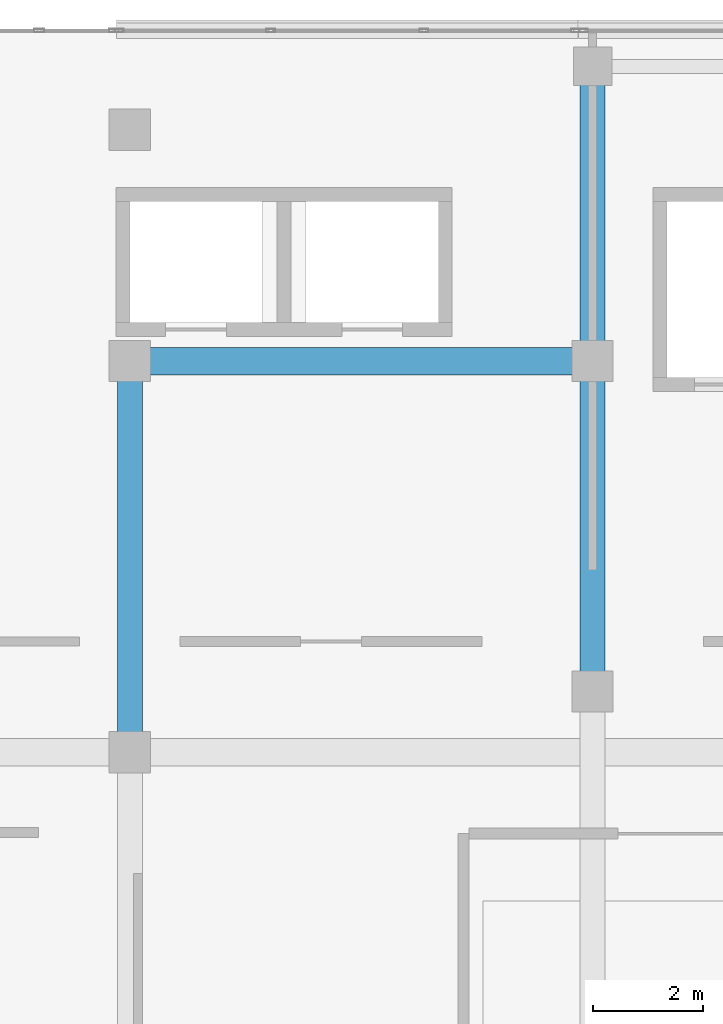
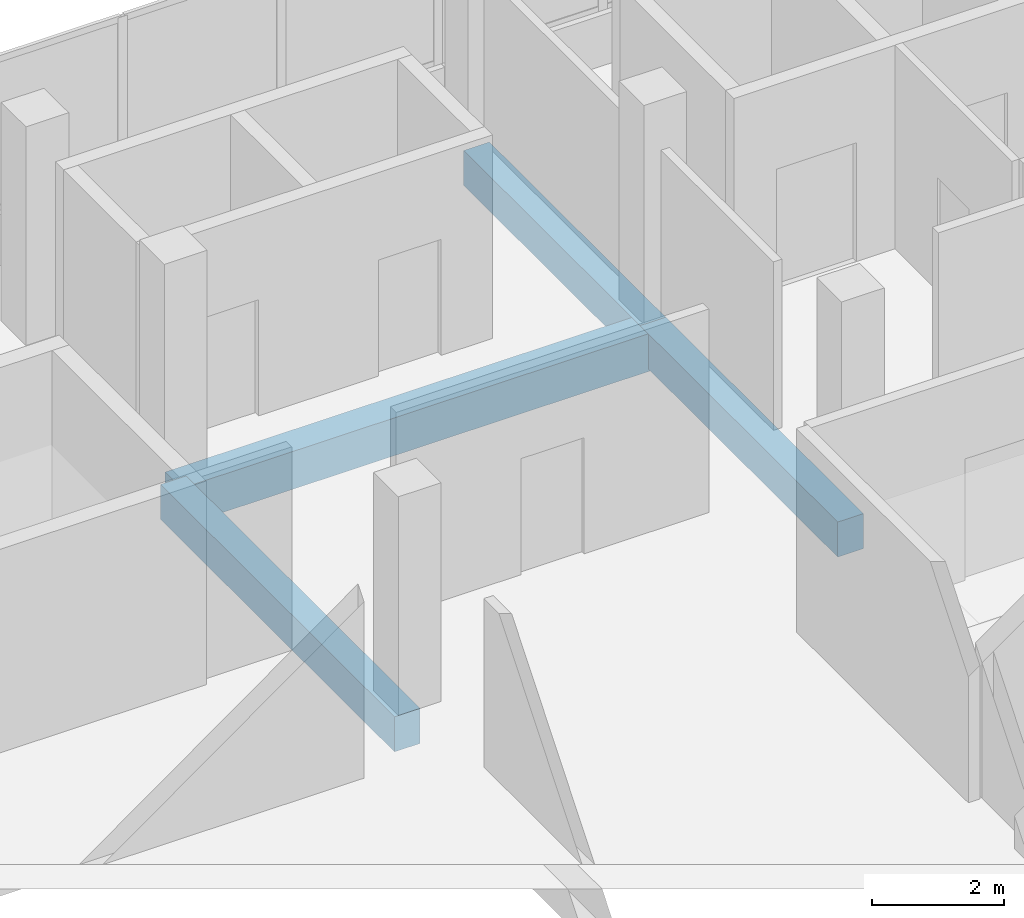
# One storey, part 49 of 101: 4 beams.
"""IFC4 building model written with IfcOpenShell, lengths in metres."""

from ifc_helpers import new_model, si_unit, direction, frame, origin, origin_2d, place, context, subcontext, project, spatial, rectangle, extrude, material, material_profile, profile_set, type_object, element, save


model = new_model("IFC4")

# Units and contexts
model_context = context("Model", 3, precision=1e-05, world=origin(), true_north=direction((0.0, 1.0)))
body_context = subcontext(model_context, "Body", "Model", "MODEL_VIEW")
ifc_project = project(units=[si_unit("LENGTHUNIT", "METRE"), si_unit("AREAUNIT", "SQUARE_METRE"), si_unit("VOLUMEUNIT", "CUBIC_METRE"), si_unit("PLANEANGLEUNIT", "RADIAN"), si_unit("MASSUNIT", "GRAM", prefix="KILO")], contexts=[model_context])

# Site, building, storey
site_placement = place(None, origin())
site = spatial("IfcSite", under=ifc_project, at=site_placement, CompositionType="ELEMENT")
building_placement = place(site_placement, origin())
building = spatial("IfcBuilding", under=site, at=building_placement, Name="Selatvlak General Hospital", CompositionType="ELEMENT")
storey_placement = place(building_placement, frame((0.0, 0.0, 19.199951171875)))
storey = spatial("IfcBuildingStorey", under=building, at=storey_placement, Name="L04", CompositionType="ELEMENT", Elevation=19.199951171875)

# Beams
ifc_material = material(Name="Concrete C40/50", Category="concrete")
ifc_material_profile_1 = material_profile(ifc_material, rectangle(XDim=0.5, YDim=0.699951171875, at=origin_2d()), Name="RC-BM 500x700")
ifc_profile_set_1 = profile_set([ifc_material_profile_1], Name="Concrete C40/50")
beam_type_1 = type_object("IfcBeamType", Name="BM-G03", PredefinedType="BEAM", material=ifc_profile_set_1)
beam_1_placement = place(storey_placement, frame((115.199951171875, 114.0, -0.655029296875), z_axis=(1.0, 0.0, 0.0), x_axis=(0.0, 1.0, 0.0)))
element("IfcBeam", 1, at=beam_1_placement, inside=storey, type_object=beam_type_1, Name="Beam BMR-L04-1621", PredefinedType="BEAM", context=body_context, shape_type="SweptSolid", body=[
    extrude(rectangle(XDim=0.5, YDim=0.699951171875, at=origin_2d()), origin(), (0.0, 0.0, 1.0), 8.400146484375),
])
ifc_material_profile_2 = material_profile(ifc_material, rectangle(XDim=0.449951171875, YDim=0.64990234375, at=origin_2d()), Name="RC-BM 450x650")
ifc_profile_set_2 = profile_set([ifc_material_profile_2], Name="Concrete C40/50")
beam_type_2 = type_object("IfcBeamType", Name="BM-G04", PredefinedType="BEAM", material=ifc_profile_set_2)
beam_2_placement = place(storey_placement, frame((115.199951171875, 106.89990234375, -0.6298828125), z_axis=(0.0, 1.0, 0.0), x_axis=(-1.0, 0.0, 0.0)))
element("IfcBeam", 2, at=beam_2_placement, inside=storey, type_object=beam_type_2, Name="Beam BMR-L04-1705", PredefinedType="BEAM", context=body_context, shape_type="SweptSolid", body=[
    extrude(rectangle(XDim=0.449951171875, YDim=0.64990234375, at=origin_2d()), origin(), (0.0, 0.0, 1.0), 7.10009765625),
])
beam_3_placement = place(storey_placement, frame((123.60009765625, 108.0, -0.6298828125), z_axis=(0.0, 1.0, 0.0), x_axis=(-1.0, 0.0, 0.0)))
element("IfcBeam", 3, at=beam_3_placement, inside=storey, type_object=beam_type_2, Name="Beam BMR-L04-1713", PredefinedType="BEAM", context=body_context, shape_type="SweptSolid", body=[
    extrude(rectangle(XDim=0.449951171875, YDim=0.64990234375, at=origin_2d()), origin(), (0.0, 0.0, 1.0), 6.0),
])
beam_4_placement = place(storey_placement, frame((123.60009765625, 114.0, -0.6298828125), z_axis=(0.0, 1.0, 0.0), x_axis=(-1.0, 0.0, 0.0)))
element("IfcBeam", 4, at=beam_4_placement, inside=storey, type_object=beam_type_2, Name="Beam BMR-L04-1714", PredefinedType="BEAM", context=body_context, shape_type="SweptSolid", body=[
    extrude(rectangle(XDim=0.449951171875, YDim=0.64990234375, at=origin_2d()), origin(), (0.0, 0.0, 1.0), 5.35009765625),
])

save(model, "model.ifc")
